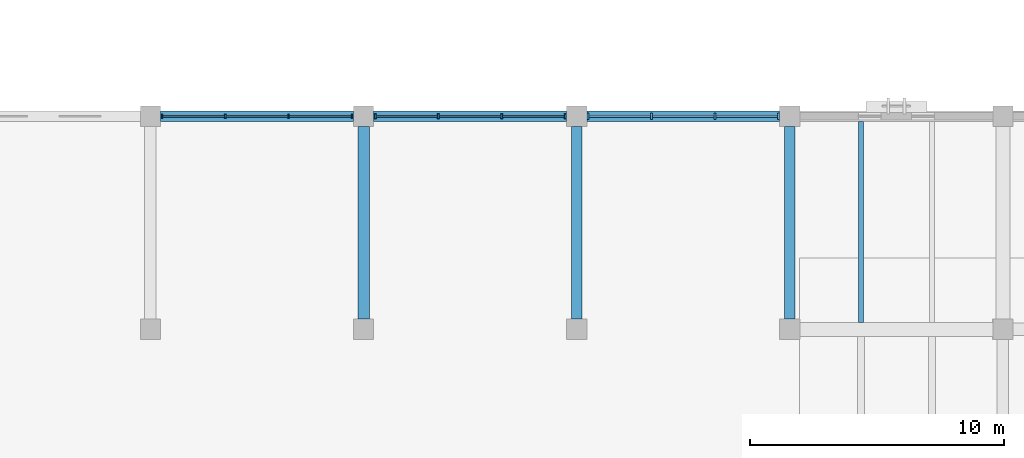
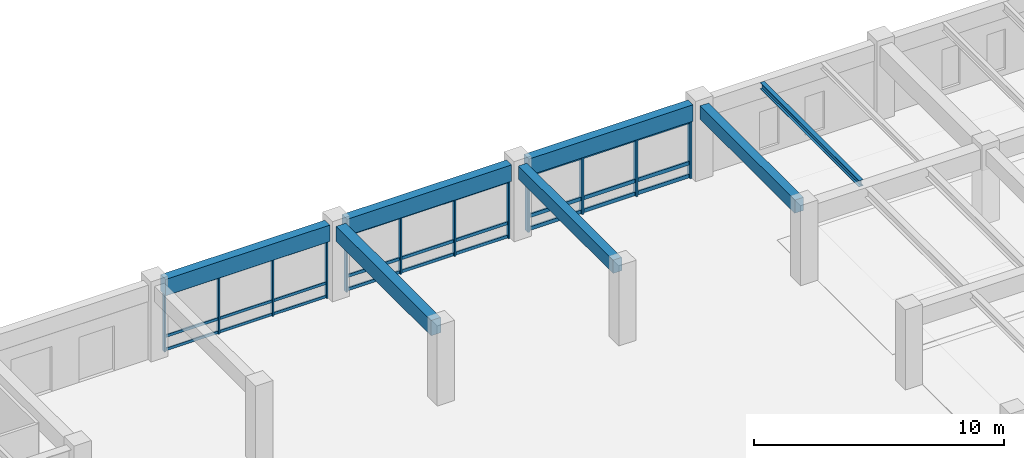
# One storey, part 62 of 135: 39 members, 7 beams, 3 elements without a shape of their own.
"""IFC4 building model written with IfcOpenShell, lengths in metres."""

from ifc_helpers import new_model, si_unit, direction, frame, origin, origin_2d, place, context, subcontext, project, spatial, rectangle, i_section, extrude, material, material_profile, profile_set, type_object, element, aggregate, save


model = new_model("IFC4")

# Units and contexts
model_context = context("Model", 3, precision=1e-05, world=origin(), true_north=direction((0.0, 1.0)))
body_context = subcontext(model_context, "Body", "Model", "MODEL_VIEW")
ifc_project = project(units=[si_unit("LENGTHUNIT", "METRE"), si_unit("AREAUNIT", "SQUARE_METRE"), si_unit("VOLUMEUNIT", "CUBIC_METRE"), si_unit("PLANEANGLEUNIT", "RADIAN"), si_unit("MASSUNIT", "GRAM", prefix="KILO")], contexts=[model_context])

# Site, building, storey
site_placement = place(None, origin())
site = spatial("IfcSite", under=ifc_project, at=site_placement, CompositionType="ELEMENT")
building_placement = place(site_placement, origin())
building = spatial("IfcBuilding", under=site, at=building_placement, Name="Cumbredor Promenade Congress Hotel", CompositionType="ELEMENT")
storey_placement = place(building_placement, origin())
storey = spatial("IfcBuildingStorey", under=building, at=storey_placement, Name="L00", CompositionType="ELEMENT", Elevation=0.0)

# Beams
ifc_material_1 = material(Name="Concrete C40/50", Category="concrete")
ifc_material_profile_1 = material_profile(ifc_material_1, rectangle(XDim=0.39990234375, YDim=0.64990234375, at=origin_2d()), Name="RC BEAM 400x650")
ifc_profile_set_1 = profile_set([ifc_material_profile_1], Name="Concrete C40/50")
beam_type_1 = type_object("IfcBeamType", Name="BM-RC-400x650", PredefinedType="BEAM", material=ifc_profile_set_1)
for number, where, z_axis, x_axis, name in (
    (1, (142.800048828125, 109.60009765625, 3.31494140625), (0.0, 1.0, 0.0), (-1.0, 0.0, 0.0), "L01 Y-Grid Beam 226"),
    (2, (151.199951171875, 109.60009765625, 3.31494140625), (0.0, 1.0, 0.0), (-1.0, 0.0, 0.0), "L01 Y-Grid Beam 238"),
):
    element("IfcBeam", number, at=place(storey_placement, frame(where, z_axis=z_axis, x_axis=x_axis)), inside=storey, type_object=beam_type_1, Name=name, PredefinedType="BEAM", context=body_context, shape_type="SweptSolid", body=[
        extrude(rectangle(XDim=0.39990234375, YDim=0.64990234375, at=origin_2d()), origin(), (0.0, 0.0, 1.0), 7.599853515625),
    ])
ifc_material_profile_2 = material_profile(ifc_material_1, rectangle(XDim=0.449951171875, YDim=0.75, at=origin_2d()), Name="RC BEAM 450x750")
ifc_profile_set_2 = profile_set([ifc_material_profile_2], Name="Concrete C40/50")
beam_type_2 = type_object("IfcBeamType", Name="BM-RC-450x750", PredefinedType="BEAM", material=ifc_profile_set_2)
beam_1_placement = place(storey_placement, frame((134.39990234375, 109.60009765625, 3.264892578125), z_axis=(0.0, 1.0, 0.0), x_axis=(-1.0, 0.0, 0.0)))
element("IfcBeam", 3, at=beam_1_placement, inside=storey, type_object=beam_type_2, Name="L01 Y-Grid Beam 211", PredefinedType="BEAM", context=body_context, shape_type="SweptSolid", body=[
    extrude(rectangle(XDim=0.449951171875, YDim=0.75, at=origin_2d()), origin(), (0.0, 0.0, 1.0), 7.599853515625),
])

# Curtain wall, members
ifc_material_2 = material(Name="Thermally broken anodized aluminium and low-E glass", Category="aluminium")
curtain_wall_type = type_object("IfcCurtainWallType", Name="Unitised Grand Foyer Curtain Wall CW-04", PredefinedType="NOTDEFINED", material=ifc_material_2)
curtain_wall_1_placement = place(storey_placement, origin())
curtain_wall_1 = element("IfcCurtainWall", 4, at=curtain_wall_1_placement, inside=storey, type_object=curtain_wall_type, Name="L00 Pre-Function and Breakout Meeting Forum North Curtain Wall 5", PredefinedType="NOTDEFINED")
ifc_material_3 = material(Name="Thermally broken anodized aluminium", Category="aluminium")
ifc_material_profile_3 = material_profile(ifc_material_3, rectangle(XDim=0.06494140625, YDim=0.159912109375, at=origin_2d()), Name="ALU MULLION 65x160")
ifc_profile_set_3 = profile_set([ifc_material_profile_3], Name="Thermally broken anodized aluminium")
member_type_1 = type_object("IfcMemberType", Name="Curtain Wall Mullion ML-01", PredefinedType="MULLION", material=ifc_profile_set_3)
member_1_placement = place(storey_placement, frame((126.455078125, 117.60009765625, -0.008056640625), z_axis=(0.0, 0.0, 1.0), x_axis=(1.0, 0.0, 0.0)))
member_1 = element("IfcMember", 5, at=member_1_placement, type_object=member_type_1, Name="L00 Pre-Function and Breakout Meeting Forum North Curtain Wall 5 Mullion 1", PredefinedType="MULLION", context=body_context, shape_type="SweptSolid", body=[
    extrude(rectangle(XDim=0.06494140625, YDim=0.159912109375, at=origin_2d()), origin(), (0.0, 0.0, 1.0), 2.841064453125),
])
member_2_placement = place(storey_placement, frame((128.95166015625, 117.60009765625, -0.008056640625), z_axis=(0.0, 0.0, 1.0), x_axis=(1.0, 0.0, 0.0)))
member_2 = element("IfcMember", 6, at=member_2_placement, type_object=member_type_1, Name="L00 Pre-Function and Breakout Meeting Forum North Curtain Wall 5 Mullion 2", PredefinedType="MULLION", context=body_context, shape_type="SweptSolid", body=[
    extrude(rectangle(XDim=0.06494140625, YDim=0.159912109375, at=origin_2d()), origin(), (0.0, 0.0, 1.0), 2.841064453125),
])
member_3_placement = place(storey_placement, frame((131.4482421875, 117.60009765625, -0.008056640625), z_axis=(0.0, 0.0, 1.0), x_axis=(1.0, 0.0, 0.0)))
member_3 = element("IfcMember", 7, at=member_3_placement, type_object=member_type_1, Name="L00 Pre-Function and Breakout Meeting Forum North Curtain Wall 5 Mullion 3", PredefinedType="MULLION", context=body_context, shape_type="SweptSolid", body=[
    extrude(rectangle(XDim=0.06494140625, YDim=0.159912109375, at=origin_2d()), origin(), (0.0, 0.0, 1.0), 2.841064453125),
])
member_4_placement = place(storey_placement, frame((133.945068359375, 117.60009765625, -0.008056640625), z_axis=(0.0, 0.0, 1.0), x_axis=(1.0, 0.0, 0.0)))
member_4 = element("IfcMember", 8, at=member_4_placement, type_object=member_type_1, Name="L00 Pre-Function and Breakout Meeting Forum North Curtain Wall 5 Mullion 4", PredefinedType="MULLION", context=body_context, shape_type="SweptSolid", body=[
    extrude(rectangle(XDim=0.06494140625, YDim=0.159912109375, at=origin_2d()), origin(), (0.0, 0.0, 1.0), 2.841064453125),
])

curtain_wall_2_placement = place(storey_placement, origin())
curtain_wall_2 = element("IfcCurtainWall", 9, at=curtain_wall_2_placement, inside=storey, type_object=curtain_wall_type, Name="L00 Pre-Function and Breakout Meeting Forum North Curtain Wall 6", PredefinedType="NOTDEFINED")
ifc_material_profile_4 = material_profile(ifc_material_3, rectangle(XDim=0.074951171875, YDim=0.199951171875, at=origin_2d()), Name="ALU MULLION 75x200")
ifc_profile_set_4 = profile_set([ifc_material_profile_4], Name="Thermally broken anodized aluminium")
member_type_2 = type_object("IfcMemberType", Name="Curtain Wall Mullion ML-02", PredefinedType="MULLION", material=ifc_profile_set_4)
member_5_placement = place(storey_placement, frame((134.85498046875, 117.60009765625, -0.008056640625), z_axis=(0.0, 0.0, 1.0), x_axis=(1.0, 0.0, 0.0)))
member_5 = element("IfcMember", 10, at=member_5_placement, type_object=member_type_2, Name="L00 Pre-Function and Breakout Meeting Forum North Curtain Wall 6 Mullion 1", PredefinedType="MULLION", context=body_context, shape_type="SweptSolid", body=[
    extrude(rectangle(XDim=0.074951171875, YDim=0.199951171875, at=origin_2d()), origin(), (0.0, 0.0, 1.0), 2.841064453125),
])
member_6_placement = place(storey_placement, frame((137.351806640625, 117.60009765625, -0.008056640625), z_axis=(0.0, 0.0, 1.0), x_axis=(1.0, 0.0, 0.0)))
member_6 = element("IfcMember", 11, at=member_6_placement, type_object=member_type_2, Name="L00 Pre-Function and Breakout Meeting Forum North Curtain Wall 6 Mullion 2", PredefinedType="MULLION", context=body_context, shape_type="SweptSolid", body=[
    extrude(rectangle(XDim=0.074951171875, YDim=0.199951171875, at=origin_2d()), origin(), (0.0, 0.0, 1.0), 2.841064453125),
])
member_7_placement = place(storey_placement, frame((139.848388671875, 117.60009765625, -0.008056640625), z_axis=(0.0, 0.0, 1.0), x_axis=(1.0, 0.0, 0.0)))
member_7 = element("IfcMember", 12, at=member_7_placement, type_object=member_type_2, Name="L00 Pre-Function and Breakout Meeting Forum North Curtain Wall 6 Mullion 3", PredefinedType="MULLION", context=body_context, shape_type="SweptSolid", body=[
    extrude(rectangle(XDim=0.074951171875, YDim=0.199951171875, at=origin_2d()), origin(), (0.0, 0.0, 1.0), 2.841064453125),
])
member_8_placement = place(storey_placement, frame((142.344970703125, 117.60009765625, -0.008056640625), z_axis=(0.0, 0.0, 1.0), x_axis=(1.0, 0.0, 0.0)))
member_8 = element("IfcMember", 13, at=member_8_placement, type_object=member_type_2, Name="L00 Pre-Function and Breakout Meeting Forum North Curtain Wall 6 Mullion 4", PredefinedType="MULLION", context=body_context, shape_type="SweptSolid", body=[
    extrude(rectangle(XDim=0.074951171875, YDim=0.199951171875, at=origin_2d()), origin(), (0.0, 0.0, 1.0), 2.841064453125),
])

curtain_wall_3_placement = place(storey_placement, origin())
curtain_wall_3 = element("IfcCurtainWall", 14, at=curtain_wall_3_placement, inside=storey, type_object=curtain_wall_type, Name="L00 Pre-Function and Breakout Meeting Forum North Curtain Wall 7", PredefinedType="NOTDEFINED")
ifc_material_profile_5 = material_profile(ifc_material_3, rectangle(XDim=0.080078125, YDim=0.239990234375, at=origin_2d()), Name="ALU MULLION 80x240")
ifc_profile_set_5 = profile_set([ifc_material_profile_5], Name="Thermally broken anodized aluminium")
member_type_3 = type_object("IfcMemberType", Name="Curtain Wall Mullion ML-03", PredefinedType="MULLION", material=ifc_profile_set_5)
member_9_placement = place(storey_placement, frame((143.2548828125, 117.60009765625, -0.008056640625), z_axis=(0.0, 0.0, 1.0), x_axis=(1.0, 0.0, 0.0)))
member_9 = element("IfcMember", 15, at=member_9_placement, type_object=member_type_3, Name="L00 Pre-Function and Breakout Meeting Forum North Curtain Wall 7 Mullion 1", PredefinedType="MULLION", context=body_context, shape_type="SweptSolid", body=[
    extrude(rectangle(XDim=0.080078125, YDim=0.239990234375, at=origin_2d()), origin(), (0.0, 0.0, 1.0), 2.841064453125),
])
member_10_placement = place(storey_placement, frame((145.751708984375, 117.60009765625, -0.008056640625), z_axis=(0.0, 0.0, 1.0), x_axis=(1.0, 0.0, 0.0)))
member_10 = element("IfcMember", 16, at=member_10_placement, type_object=member_type_3, Name="L00 Pre-Function and Breakout Meeting Forum North Curtain Wall 7 Mullion 2", PredefinedType="MULLION", context=body_context, shape_type="SweptSolid", body=[
    extrude(rectangle(XDim=0.080078125, YDim=0.239990234375, at=origin_2d()), origin(), (0.0, 0.0, 1.0), 2.841064453125),
])
member_11_placement = place(storey_placement, frame((148.248291015625, 117.60009765625, -0.008056640625), z_axis=(0.0, 0.0, 1.0), x_axis=(1.0, 0.0, 0.0)))
member_11 = element("IfcMember", 17, at=member_11_placement, type_object=member_type_3, Name="L00 Pre-Function and Breakout Meeting Forum North Curtain Wall 7 Mullion 3", PredefinedType="MULLION", context=body_context, shape_type="SweptSolid", body=[
    extrude(rectangle(XDim=0.080078125, YDim=0.239990234375, at=origin_2d()), origin(), (0.0, 0.0, 1.0), 2.841064453125),
])
member_12_placement = place(storey_placement, frame((150.7451171875, 117.60009765625, -0.008056640625), z_axis=(0.0, 0.0, 1.0), x_axis=(1.0, 0.0, 0.0)))
member_12 = element("IfcMember", 18, at=member_12_placement, type_object=member_type_3, Name="L00 Pre-Function and Breakout Meeting Forum North Curtain Wall 7 Mullion 4", PredefinedType="MULLION", context=body_context, shape_type="SweptSolid", body=[
    extrude(rectangle(XDim=0.080078125, YDim=0.239990234375, at=origin_2d()), origin(), (0.0, 0.0, 1.0), 2.841064453125),
])

# Member
ifc_material_profile_6 = material_profile(ifc_material_3, rectangle(XDim=0.06494140625, YDim=0.1298828125, at=origin_2d()), Name="ALU TRANSOM 65x130")
ifc_profile_set_6 = profile_set([ifc_material_profile_6], Name="Thermally broken anodized aluminium")
member_type_4 = type_object("IfcMemberType", Name="Curtain Wall Transom TR-01", PredefinedType="USERDEFINED", material=ifc_profile_set_6)
member_13_placement = place(storey_placement, frame((126.487548828125, 117.60009765625, 0.070068359375), z_axis=(1.0, 0.0, 0.0), x_axis=(0.0, 1.0, 0.0)))
member_13 = element("IfcMember", 19, at=member_13_placement, type_object=member_type_4, Name="L00 Pre-Function and Breakout Meeting Forum North Curtain Wall 5 Transom 1.1", ObjectType="TRANSOM", PredefinedType="USERDEFINED", context=body_context, shape_type="SweptSolid", body=[
    extrude(rectangle(XDim=0.06494140625, YDim=0.1298828125, at=origin_2d()), origin(), (0.0, 0.0, 1.0), 2.431640625),
])

member_14_placement = place(storey_placement, frame((126.487548828125, 117.60009765625, 0.719970703125), z_axis=(1.0, 0.0, 0.0), x_axis=(0.0, 1.0, 0.0)))
member_14 = element("IfcMember", 20, at=member_14_placement, type_object=member_type_4, Name="L00 Pre-Function and Breakout Meeting Forum North Curtain Wall 5 Transom 1.2", ObjectType="TRANSOM", PredefinedType="USERDEFINED", context=body_context, shape_type="SweptSolid", body=[
    extrude(rectangle(XDim=0.06494140625, YDim=0.1298828125, at=origin_2d()), origin(), (0.0, 0.0, 1.0), 2.431640625),
])

member_15_placement = place(storey_placement, frame((126.487548828125, 117.60009765625, 2.760009765625), z_axis=(1.0, 0.0, 0.0), x_axis=(0.0, 1.0, 0.0)))
member_15 = element("IfcMember", 21, at=member_15_placement, type_object=member_type_4, Name="L00 Pre-Function and Breakout Meeting Forum North Curtain Wall 5 Transom 1.3", ObjectType="TRANSOM", PredefinedType="USERDEFINED", context=body_context, shape_type="SweptSolid", body=[
    extrude(rectangle(XDim=0.06494140625, YDim=0.1298828125, at=origin_2d()), origin(), (0.0, 0.0, 1.0), 2.431640625),
])

member_16_placement = place(storey_placement, frame((128.984130859375, 117.60009765625, 0.070068359375), z_axis=(1.0, 0.0, 0.0), x_axis=(0.0, 1.0, 0.0)))
member_16 = element("IfcMember", 22, at=member_16_placement, type_object=member_type_4, Name="L00 Pre-Function and Breakout Meeting Forum North Curtain Wall 5 Transom 2.1", ObjectType="TRANSOM", PredefinedType="USERDEFINED", context=body_context, shape_type="SweptSolid", body=[
    extrude(rectangle(XDim=0.06494140625, YDim=0.1298828125, at=origin_2d()), origin(), (0.0, 0.0, 1.0), 2.431640625),
])

member_17_placement = place(storey_placement, frame((128.984130859375, 117.60009765625, 0.719970703125), z_axis=(1.0, 0.0, 0.0), x_axis=(0.0, 1.0, 0.0)))
member_17 = element("IfcMember", 23, at=member_17_placement, type_object=member_type_4, Name="L00 Pre-Function and Breakout Meeting Forum North Curtain Wall 5 Transom 2.2", ObjectType="TRANSOM", PredefinedType="USERDEFINED", context=body_context, shape_type="SweptSolid", body=[
    extrude(rectangle(XDim=0.06494140625, YDim=0.1298828125, at=origin_2d()), origin(), (0.0, 0.0, 1.0), 2.431640625),
])

member_18_placement = place(storey_placement, frame((128.984130859375, 117.60009765625, 2.760009765625), z_axis=(1.0, 0.0, 0.0), x_axis=(0.0, 1.0, 0.0)))
member_18 = element("IfcMember", 24, at=member_18_placement, type_object=member_type_4, Name="L00 Pre-Function and Breakout Meeting Forum North Curtain Wall 5 Transom 2.3", ObjectType="TRANSOM", PredefinedType="USERDEFINED", context=body_context, shape_type="SweptSolid", body=[
    extrude(rectangle(XDim=0.06494140625, YDim=0.1298828125, at=origin_2d()), origin(), (0.0, 0.0, 1.0), 2.431640625),
])

member_19_placement = place(storey_placement, frame((131.480712890625, 117.60009765625, 0.070068359375), z_axis=(1.0, 0.0, 0.0), x_axis=(0.0, 1.0, 0.0)))
member_19 = element("IfcMember", 25, at=member_19_placement, type_object=member_type_4, Name="L00 Pre-Function and Breakout Meeting Forum North Curtain Wall 5 Transom 3.1", ObjectType="TRANSOM", PredefinedType="USERDEFINED", context=body_context, shape_type="SweptSolid", body=[
    extrude(rectangle(XDim=0.06494140625, YDim=0.1298828125, at=origin_2d()), origin(), (0.0, 0.0, 1.0), 2.431884765625),
])

member_20_placement = place(storey_placement, frame((131.480712890625, 117.60009765625, 0.719970703125), z_axis=(1.0, 0.0, 0.0), x_axis=(0.0, 1.0, 0.0)))
member_20 = element("IfcMember", 26, at=member_20_placement, type_object=member_type_4, Name="L00 Pre-Function and Breakout Meeting Forum North Curtain Wall 5 Transom 3.2", ObjectType="TRANSOM", PredefinedType="USERDEFINED", context=body_context, shape_type="SweptSolid", body=[
    extrude(rectangle(XDim=0.06494140625, YDim=0.1298828125, at=origin_2d()), origin(), (0.0, 0.0, 1.0), 2.431884765625),
])

member_21_placement = place(storey_placement, frame((131.480712890625, 117.60009765625, 2.760009765625), z_axis=(1.0, 0.0, 0.0), x_axis=(0.0, 1.0, 0.0)))
member_21 = element("IfcMember", 27, at=member_21_placement, type_object=member_type_4, Name="L00 Pre-Function and Breakout Meeting Forum North Curtain Wall 5 Transom 3.3", ObjectType="TRANSOM", PredefinedType="USERDEFINED", context=body_context, shape_type="SweptSolid", body=[
    extrude(rectangle(XDim=0.06494140625, YDim=0.1298828125, at=origin_2d()), origin(), (0.0, 0.0, 1.0), 2.431884765625),
])

aggregate(curtain_wall_1, [member_1, member_2, member_3, member_4, member_13, member_14, member_15, member_16, member_17, member_18, member_19, member_20, member_21])

ifc_material_profile_7 = material_profile(ifc_material_3, rectangle(XDim=0.074951171875, YDim=0.14990234375, at=origin_2d()), Name="ALU TRANSOM 75x150")
ifc_profile_set_7 = profile_set([ifc_material_profile_7], Name="Thermally broken anodized aluminium")
member_type_5 = type_object("IfcMemberType", Name="Curtain Wall Transom TR-02", PredefinedType="USERDEFINED", material=ifc_profile_set_7)
member_22_placement = place(storey_placement, frame((134.892578125, 117.60009765625, 0.070068359375), z_axis=(1.0, 0.0, 0.0), x_axis=(0.0, 1.0, 0.0)))
member_22 = element("IfcMember", 28, at=member_22_placement, type_object=member_type_5, Name="L00 Pre-Function and Breakout Meeting Forum North Curtain Wall 6 Transom 1.1", ObjectType="TRANSOM", PredefinedType="USERDEFINED", context=body_context, shape_type="SweptSolid", body=[
    extrude(rectangle(XDim=0.074951171875, YDim=0.14990234375, at=origin_2d()), origin(), (0.0, 0.0, 1.0), 2.421630859375),
])

member_23_placement = place(storey_placement, frame((134.892578125, 117.60009765625, 0.719970703125), z_axis=(1.0, 0.0, 0.0), x_axis=(0.0, 1.0, 0.0)))
member_23 = element("IfcMember", 29, at=member_23_placement, type_object=member_type_5, Name="L00 Pre-Function and Breakout Meeting Forum North Curtain Wall 6 Transom 1.2", ObjectType="TRANSOM", PredefinedType="USERDEFINED", context=body_context, shape_type="SweptSolid", body=[
    extrude(rectangle(XDim=0.074951171875, YDim=0.14990234375, at=origin_2d()), origin(), (0.0, 0.0, 1.0), 2.421630859375),
])

member_24_placement = place(storey_placement, frame((134.892578125, 117.60009765625, 2.75), z_axis=(1.0, 0.0, 0.0), x_axis=(0.0, 1.0, 0.0)))
member_24 = element("IfcMember", 30, at=member_24_placement, type_object=member_type_5, Name="L00 Pre-Function and Breakout Meeting Forum North Curtain Wall 6 Transom 1.3", ObjectType="TRANSOM", PredefinedType="USERDEFINED", context=body_context, shape_type="SweptSolid", body=[
    extrude(rectangle(XDim=0.074951171875, YDim=0.14990234375, at=origin_2d()), origin(), (0.0, 0.0, 1.0), 2.421630859375),
])

member_25_placement = place(storey_placement, frame((137.38916015625, 117.60009765625, 0.070068359375), z_axis=(1.0, 0.0, 0.0), x_axis=(0.0, 1.0, 0.0)))
member_25 = element("IfcMember", 31, at=member_25_placement, type_object=member_type_5, Name="L00 Pre-Function and Breakout Meeting Forum North Curtain Wall 6 Transom 2.1", ObjectType="TRANSOM", PredefinedType="USERDEFINED", context=body_context, shape_type="SweptSolid", body=[
    extrude(rectangle(XDim=0.074951171875, YDim=0.14990234375, at=origin_2d()), origin(), (0.0, 0.0, 1.0), 2.421630859375),
])

member_26_placement = place(storey_placement, frame((137.38916015625, 117.60009765625, 0.719970703125), z_axis=(1.0, 0.0, 0.0), x_axis=(0.0, 1.0, 0.0)))
member_26 = element("IfcMember", 32, at=member_26_placement, type_object=member_type_5, Name="L00 Pre-Function and Breakout Meeting Forum North Curtain Wall 6 Transom 2.2", ObjectType="TRANSOM", PredefinedType="USERDEFINED", context=body_context, shape_type="SweptSolid", body=[
    extrude(rectangle(XDim=0.074951171875, YDim=0.14990234375, at=origin_2d()), origin(), (0.0, 0.0, 1.0), 2.421630859375),
])

member_27_placement = place(storey_placement, frame((137.38916015625, 117.60009765625, 2.75), z_axis=(1.0, 0.0, 0.0), x_axis=(0.0, 1.0, 0.0)))
member_27 = element("IfcMember", 33, at=member_27_placement, type_object=member_type_5, Name="L00 Pre-Function and Breakout Meeting Forum North Curtain Wall 6 Transom 2.3", ObjectType="TRANSOM", PredefinedType="USERDEFINED", context=body_context, shape_type="SweptSolid", body=[
    extrude(rectangle(XDim=0.074951171875, YDim=0.14990234375, at=origin_2d()), origin(), (0.0, 0.0, 1.0), 2.421630859375),
])

member_28_placement = place(storey_placement, frame((139.8857421875, 117.60009765625, 0.070068359375), z_axis=(1.0, 0.0, 0.0), x_axis=(0.0, 1.0, 0.0)))
member_28 = element("IfcMember", 34, at=member_28_placement, type_object=member_type_5, Name="L00 Pre-Function and Breakout Meeting Forum North Curtain Wall 6 Transom 3.1", ObjectType="TRANSOM", PredefinedType="USERDEFINED", context=body_context, shape_type="SweptSolid", body=[
    extrude(rectangle(XDim=0.074951171875, YDim=0.14990234375, at=origin_2d()), origin(), (0.0, 0.0, 1.0), 2.421875),
])

member_29_placement = place(storey_placement, frame((139.8857421875, 117.60009765625, 0.719970703125), z_axis=(1.0, 0.0, 0.0), x_axis=(0.0, 1.0, 0.0)))
member_29 = element("IfcMember", 35, at=member_29_placement, type_object=member_type_5, Name="L00 Pre-Function and Breakout Meeting Forum North Curtain Wall 6 Transom 3.2", ObjectType="TRANSOM", PredefinedType="USERDEFINED", context=body_context, shape_type="SweptSolid", body=[
    extrude(rectangle(XDim=0.074951171875, YDim=0.14990234375, at=origin_2d()), origin(), (0.0, 0.0, 1.0), 2.421875),
])

member_30_placement = place(storey_placement, frame((139.8857421875, 117.60009765625, 2.75), z_axis=(1.0, 0.0, 0.0), x_axis=(0.0, 1.0, 0.0)))
member_30 = element("IfcMember", 36, at=member_30_placement, type_object=member_type_5, Name="L00 Pre-Function and Breakout Meeting Forum North Curtain Wall 6 Transom 3.3", ObjectType="TRANSOM", PredefinedType="USERDEFINED", context=body_context, shape_type="SweptSolid", body=[
    extrude(rectangle(XDim=0.074951171875, YDim=0.14990234375, at=origin_2d()), origin(), (0.0, 0.0, 1.0), 2.421875),
])

aggregate(curtain_wall_2, [member_5, member_6, member_7, member_8, member_22, member_23, member_24, member_25, member_26, member_27, member_28, member_29, member_30])

ifc_material_profile_8 = material_profile(ifc_material_3, rectangle(XDim=0.080078125, YDim=0.179931640625, at=origin_2d()), Name="ALU TRANSOM 80x180")
ifc_profile_set_8 = profile_set([ifc_material_profile_8], Name="Thermally broken anodized aluminium")
member_type_6 = type_object("IfcMemberType", Name="Curtain Wall Transom TR-03", PredefinedType="USERDEFINED", material=ifc_profile_set_8)
member_31_placement = place(storey_placement, frame((143.294921875, 117.60009765625, 0.090087890625), z_axis=(1.0, 0.0, 0.0), x_axis=(0.0, 1.0, 0.0)))
member_31 = element("IfcMember", 37, at=member_31_placement, type_object=member_type_6, Name="L00 Pre-Function and Breakout Meeting Forum North Curtain Wall 7 Transom 1.1", ObjectType="TRANSOM", PredefinedType="USERDEFINED", context=body_context, shape_type="SweptSolid", body=[
    extrude(rectangle(XDim=0.080078125, YDim=0.179931640625, at=origin_2d()), origin(), (0.0, 0.0, 1.0), 2.416748046875),
])

member_32_placement = place(storey_placement, frame((143.294921875, 117.60009765625, 0.719970703125), z_axis=(1.0, 0.0, 0.0), x_axis=(0.0, 1.0, 0.0)))
member_32 = element("IfcMember", 38, at=member_32_placement, type_object=member_type_6, Name="L00 Pre-Function and Breakout Meeting Forum North Curtain Wall 7 Transom 1.2", ObjectType="TRANSOM", PredefinedType="USERDEFINED", context=body_context, shape_type="SweptSolid", body=[
    extrude(rectangle(XDim=0.080078125, YDim=0.179931640625, at=origin_2d()), origin(), (0.0, 0.0, 1.0), 2.416748046875),
])

member_33_placement = place(storey_placement, frame((143.294921875, 117.60009765625, 2.739990234375), z_axis=(1.0, 0.0, 0.0), x_axis=(0.0, 1.0, 0.0)))
member_33 = element("IfcMember", 39, at=member_33_placement, type_object=member_type_6, Name="L00 Pre-Function and Breakout Meeting Forum North Curtain Wall 7 Transom 1.3", ObjectType="TRANSOM", PredefinedType="USERDEFINED", context=body_context, shape_type="SweptSolid", body=[
    extrude(rectangle(XDim=0.080078125, YDim=0.179931640625, at=origin_2d()), origin(), (0.0, 0.0, 1.0), 2.416748046875),
])

member_34_placement = place(storey_placement, frame((145.791748046875, 117.60009765625, 0.090087890625), z_axis=(1.0, 0.0, 0.0), x_axis=(0.0, 1.0, 0.0)))
member_34 = element("IfcMember", 40, at=member_34_placement, type_object=member_type_6, Name="L00 Pre-Function and Breakout Meeting Forum North Curtain Wall 7 Transom 2.1", ObjectType="TRANSOM", PredefinedType="USERDEFINED", context=body_context, shape_type="SweptSolid", body=[
    extrude(rectangle(XDim=0.080078125, YDim=0.179931640625, at=origin_2d()), origin(), (0.0, 0.0, 1.0), 2.41650390625),
])

member_35_placement = place(storey_placement, frame((145.791748046875, 117.60009765625, 0.719970703125), z_axis=(1.0, 0.0, 0.0), x_axis=(0.0, 1.0, 0.0)))
member_35 = element("IfcMember", 41, at=member_35_placement, type_object=member_type_6, Name="L00 Pre-Function and Breakout Meeting Forum North Curtain Wall 7 Transom 2.2", ObjectType="TRANSOM", PredefinedType="USERDEFINED", context=body_context, shape_type="SweptSolid", body=[
    extrude(rectangle(XDim=0.080078125, YDim=0.179931640625, at=origin_2d()), origin(), (0.0, 0.0, 1.0), 2.41650390625),
])

member_36_placement = place(storey_placement, frame((145.791748046875, 117.60009765625, 2.739990234375), z_axis=(1.0, 0.0, 0.0), x_axis=(0.0, 1.0, 0.0)))
member_36 = element("IfcMember", 42, at=member_36_placement, type_object=member_type_6, Name="L00 Pre-Function and Breakout Meeting Forum North Curtain Wall 7 Transom 2.3", ObjectType="TRANSOM", PredefinedType="USERDEFINED", context=body_context, shape_type="SweptSolid", body=[
    extrude(rectangle(XDim=0.080078125, YDim=0.179931640625, at=origin_2d()), origin(), (0.0, 0.0, 1.0), 2.41650390625),
])

member_37_placement = place(storey_placement, frame((148.288330078125, 117.60009765625, 0.090087890625), z_axis=(1.0, 0.0, 0.0), x_axis=(0.0, 1.0, 0.0)))
member_37 = element("IfcMember", 43, at=member_37_placement, type_object=member_type_6, Name="L00 Pre-Function and Breakout Meeting Forum North Curtain Wall 7 Transom 3.1", ObjectType="TRANSOM", PredefinedType="USERDEFINED", context=body_context, shape_type="SweptSolid", body=[
    extrude(rectangle(XDim=0.080078125, YDim=0.179931640625, at=origin_2d()), origin(), (0.0, 0.0, 1.0), 2.416748046875),
])

member_38_placement = place(storey_placement, frame((148.288330078125, 117.60009765625, 0.719970703125), z_axis=(1.0, 0.0, 0.0), x_axis=(0.0, 1.0, 0.0)))
member_38 = element("IfcMember", 44, at=member_38_placement, type_object=member_type_6, Name="L00 Pre-Function and Breakout Meeting Forum North Curtain Wall 7 Transom 3.2", ObjectType="TRANSOM", PredefinedType="USERDEFINED", context=body_context, shape_type="SweptSolid", body=[
    extrude(rectangle(XDim=0.080078125, YDim=0.179931640625, at=origin_2d()), origin(), (0.0, 0.0, 1.0), 2.416748046875),
])

member_39_placement = place(storey_placement, frame((148.288330078125, 117.60009765625, 2.739990234375), z_axis=(1.0, 0.0, 0.0), x_axis=(0.0, 1.0, 0.0)))
member_39 = element("IfcMember", 45, at=member_39_placement, type_object=member_type_6, Name="L00 Pre-Function and Breakout Meeting Forum North Curtain Wall 7 Transom 3.3", ObjectType="TRANSOM", PredefinedType="USERDEFINED", context=body_context, shape_type="SweptSolid", body=[
    extrude(rectangle(XDim=0.080078125, YDim=0.179931640625, at=origin_2d()), origin(), (0.0, 0.0, 1.0), 2.416748046875),
])

aggregate(curtain_wall_3, [member_9, member_10, member_11, member_12, member_31, member_32, member_33, member_34, member_35, member_36, member_37, member_38, member_39])

# Beams
ifc_material_4 = material(Name="Steel ASTM A992 Grade 50", Category="steel")
ifc_material_profile_9 = material_profile(ifc_material_4, i_section(OverallWidth=0.202880859375, OverallDepth=0.302978515625, WebThickness=0.007568359375, FlangeThickness=0.01318359375, at=origin_2d()), Name="W12X40")
ifc_profile_set_9 = profile_set([ifc_material_profile_9], Name="Steel ASTM A992 Grade 50")
beam_type_3 = type_object("IfcBeamType", Name="JST-W12X40", PredefinedType="JOIST", material=ifc_profile_set_9)
beam_2_placement = place(storey_placement, frame((154.0, 109.47509765625, 3.488525390625), z_axis=(0.0, 1.0, 0.0), x_axis=(-1.0, 0.0, 0.0)))
element("IfcBeam", 46, at=beam_2_placement, inside=storey, type_object=beam_type_3, Name="L01 Secondary Floor Joist 0133", PredefinedType="JOIST", context=body_context, shape_type="SweptSolid", body=[
    extrude(i_section(OverallWidth=0.202880859375, OverallDepth=0.302978515625, WebThickness=0.007568359375, FlangeThickness=0.01318359375, at=origin_2d()), origin(), (0.0, 0.0, 1.0), 7.9248046875),
])
ifc_material_profile_10 = material_profile(ifc_material_1, rectangle(XDim=0.39990234375, YDim=0.800048828125, at=origin_2d()), Name="RC SPANDREL 400x800")
ifc_profile_set_10 = profile_set([ifc_material_profile_10], Name="Concrete C40/50")
beam_type_4 = type_object("IfcBeamType", Name="SP-RC-400x800", PredefinedType="SPANDREL", material=ifc_profile_set_10)
beam_3_placement = place(storey_placement, frame((126.39990234375, 117.60009765625, 3.239990234375), z_axis=(1.0, 0.0, 0.0), x_axis=(0.0, 1.0, 0.0)))
element("IfcBeam", 47, at=beam_3_placement, inside=storey, type_object=beam_type_4, Name="L01 X-Grid Beam 208", PredefinedType="SPANDREL", context=body_context, shape_type="SweptSolid", body=[
    extrude(rectangle(XDim=0.39990234375, YDim=0.800048828125, at=origin_2d()), origin(), (0.0, 0.0, 1.0), 7.60009765625),
])
beam_4_placement = place(storey_placement, frame((134.800048828125, 117.60009765625, 3.239990234375), z_axis=(1.0, 0.0, 0.0), x_axis=(0.0, 1.0, 0.0)))
element("IfcBeam", 48, at=beam_4_placement, inside=storey, type_object=beam_type_4, Name="L01 X-Grid Beam 212", PredefinedType="SPANDREL", context=body_context, shape_type="SweptSolid", body=[
    extrude(rectangle(XDim=0.39990234375, YDim=0.800048828125, at=origin_2d()), origin(), (0.0, 0.0, 1.0), 7.599853515625),
])
beam_5_placement = place(storey_placement, frame((143.199951171875, 117.60009765625, 3.239990234375), z_axis=(1.0, 0.0, 0.0), x_axis=(0.0, 1.0, 0.0)))
element("IfcBeam", 49, at=beam_5_placement, inside=storey, type_object=beam_type_4, Name="L01 X-Grid Beam 227", PredefinedType="SPANDREL", context=body_context, shape_type="SweptSolid", body=[
    extrude(rectangle(XDim=0.39990234375, YDim=0.800048828125, at=origin_2d()), origin(), (0.0, 0.0, 1.0), 7.60009765625),
])

save(model, "model.ifc")
